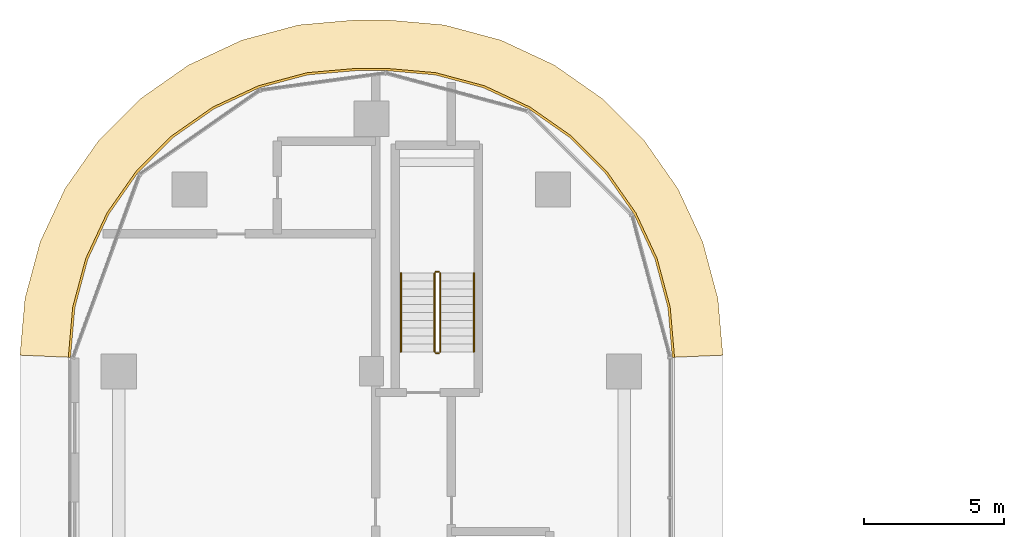
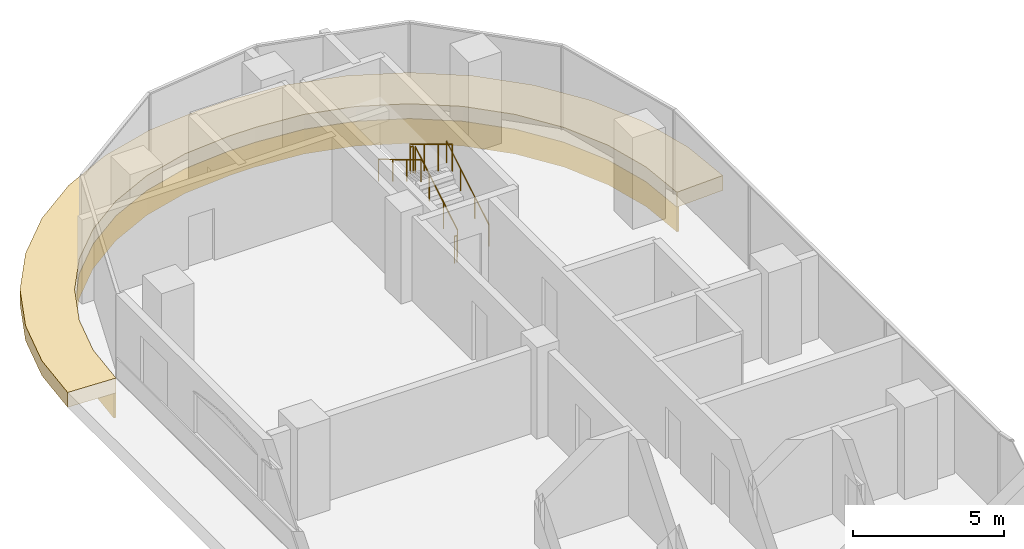
# One storey, part 24 of 25: 6 railings, 2 coverings.
"""IFC4 building model written with IfcOpenShell, lengths in metres."""

import ifcopenshell
import ifcopenshell.guid

model = None  # the IFC model being written
_history = None  # IfcOwnerHistory: only IFC2X3 demands one
_inside = {}  # id of a spatial element -> (the spatial element, [elements in it])
_under = {}  # id of a project, library or spatial element -> (it, [spatial elements below it])
_declared = {}  # id of a project -> (the project, [libraries it declares])
_typed = {}  # id of a type object -> (the type object, [elements of that type])
_made_of = {}  # id of a material, layer set ... -> (it, [elements and type objects made of it])


def new_model(schema):
    """Start an empty IFC model of exactly this schema.

    Asked for "IFC4X3", IfcOpenShell would pick the latest addendum, in which some entities
    have other attributes; the version numbers below select the first issue.
    IFC2X3 requires an IfcOwnerHistory on every rooted entity: one is made here for all.
    """
    global model, _history
    if schema == "IFC4X3":
        model = ifcopenshell.file(schema_version=(4, 3, 0, 0))
    else:
        model = ifcopenshell.file(schema=schema)
    _inside.clear()
    _under.clear()
    _declared.clear()
    _typed.clear()
    _made_of.clear()
    _history = None
    if model.schema == "IFC2X3":
        org = make("IfcOrganization", Name="unknown")
        user = make(
            "IfcPersonAndOrganization",
            ThePerson=make("IfcPerson", FamilyName="unknown"),
            TheOrganization=org,
        )
        app = make(
            "IfcApplication",
            ApplicationDeveloper=org,
            Version="unknown",
            ApplicationFullName="unknown",
            ApplicationIdentifier="unknown",
        )
        _history = make(
            "IfcOwnerHistory",
            OwningUser=user,
            OwningApplication=app,
            ChangeAction="ADDED",
            CreationDate=0,
        )
    return model


def make(cls, **values):
    """One entity of the class cls with the attributes given. An attribute that is None is left unset."""
    return model.create_entity(
        cls, **{name: value for name, value in values.items() if value is not None}
    )


def rooted(cls, **values):
    """An entity with a GlobalId (a new one), such as an element, a storey or a relation."""
    return make(cls, GlobalId=ifcopenshell.guid.new(), OwnerHistory=_history, **values)


def si_unit(unit_type, name, prefix=None):
    """IfcSIUnit, for example si_unit("LENGTHUNIT", "METRE", prefix="MILLI")."""
    return make("IfcSIUnit", UnitType=unit_type, Prefix=prefix, Name=name)


def assignment(units):
    """IfcUnitAssignment: the units of a project."""
    return None if units is None else make("IfcUnitAssignment", Units=units)


def point(xyz):
    """IfcCartesianPoint."""
    return None if xyz is None else make("IfcCartesianPoint", Coordinates=xyz)


def direction(xyz):
    """IfcDirection."""
    return None if xyz is None else make("IfcDirection", DirectionRatios=xyz)


def frame(location, z_axis=None, x_axis=None):
    """IfcAxis2Placement3D, a coordinate frame: its origin and axes. An axis left out is left unset."""
    return make(
        "IfcAxis2Placement3D",
        Location=point(location),
        Axis=direction(z_axis),
        RefDirection=direction(x_axis),
    )


def frame_2d(location, x_axis=None):
    """IfcAxis2Placement2D, a coordinate frame in the plane: its origin and x axis."""
    return make(
        "IfcAxis2Placement2D", Location=point(location), RefDirection=direction(x_axis)
    )


def origin():
    """The frame at (0, 0, 0) with its axes left unset."""
    return frame((0.0, 0.0, 0.0))


def origin_2d():
    """The frame at (0, 0) in the plane with its x axis left unset."""
    return frame_2d((0.0, 0.0))


def place(relative_to, where):
    """IfcLocalPlacement: puts the frame where relative to a parent placement (None: the world)."""
    return make(
        "IfcLocalPlacement", PlacementRelTo=relative_to, RelativePlacement=where
    )


def context(
    kind, dimensions, precision=None, world=None, true_north=None, identifier=None
):
    """IfcGeometricRepresentationContext, for example the 3D "Model" context."""
    return make(
        "IfcGeometricRepresentationContext",
        ContextIdentifier=identifier,
        ContextType=kind,
        CoordinateSpaceDimension=dimensions,
        Precision=precision,
        WorldCoordinateSystem=world,
        TrueNorth=true_north,
    )


def subcontext(parent, identifier, kind, view, scale=None):
    """IfcGeometricRepresentationSubContext, for example "Body" below "Model"."""
    return make(
        "IfcGeometricRepresentationSubContext",
        ContextIdentifier=identifier,
        ContextType=kind,
        ParentContext=parent,
        TargetScale=scale,
        TargetView=view,
    )


def project(units=None, contexts=None):
    """IfcProject with its units and contexts."""
    return rooted(
        "IfcProject",
        Name="project",
        RepresentationContexts=contexts,
        UnitsInContext=assignment(units),
    )


def spatial(cls, under=None, at=None, **own):
    """A site, building, storey or space (cls), placed at a placement, below another one or the project."""
    s = rooted(cls, ObjectPlacement=at, **own)
    if under is not None:
        _under.setdefault(under.id(), (under, []))[1].append(s)
    return s


def polyline(points):
    """IfcPolyline through the points."""
    return make("IfcPolyline", Points=[point(p) for p in points])


def profile(cls, at=None, kind="AREA", **sizes):
    """A parametric profile (cls). Its sizes go by their IFC names, for example OverallWidth=200.0."""
    return make(cls, ProfileType=kind, Position=at, **sizes)


def circle(**sizes):
    """IfcCircleProfileDef."""
    return profile("IfcCircleProfileDef", **sizes)


def outline(outer, holes=None, kind="AREA"):
    """IfcArbitraryClosedProfileDef: a profile drawn as a closed curve; with holes, ...WithVoids."""
    if holes is None:
        return make("IfcArbitraryClosedProfileDef", ProfileType=kind, OuterCurve=outer)
    return make(
        "IfcArbitraryProfileDefWithVoids",
        ProfileType=kind,
        OuterCurve=outer,
        InnerCurves=holes,
    )


def extrude(swept, where, along, depth):
    """IfcExtrudedAreaSolid: the profile swept, set in the frame where, extruded along a direction by depth."""
    return make(
        "IfcExtrudedAreaSolid",
        SweptArea=swept,
        Position=where,
        ExtrudedDirection=direction(along),
        Depth=depth,
    )


def shape(context_of_items, identifier, shape_type, items):
    """IfcShapeRepresentation: the items that make up one representation, for example the "Body"."""
    return make(
        "IfcShapeRepresentation",
        ContextOfItems=context_of_items,
        RepresentationIdentifier=identifier,
        RepresentationType=shape_type,
        Items=items,
    )


def material(Name=None, Category=None):
    """IfcMaterial."""
    return make("IfcMaterial", Name=Name, Category=Category)


def layer(
    of_material, thickness, ventilated=None, Name=None, Category=None, Priority=None
):
    """IfcMaterialLayer: one layer of a wall or slab, of a material (None: an air gap)."""
    return make(
        "IfcMaterialLayer",
        Material=of_material,
        LayerThickness=thickness,
        IsVentilated=ventilated,
        Name=Name,
        Category=Category,
        Priority=Priority,
    )


def layer_set(layers, Name=None):
    """IfcMaterialLayerSet."""
    return make("IfcMaterialLayerSet", MaterialLayers=layers, LayerSetName=Name)


def made_of(thing, what):
    """Note that an element or type object is made of a material, layer set ...; save() writes the relation."""
    if what is not None:
        _made_of.setdefault(what.id(), (what, []))[1].append(thing)
    return thing


def type_object(cls, material=None, **own):
    """A type object (cls), such as IfcWallType, which elements share."""
    return made_of(rooted(cls, **own), material)


def element(
    cls,
    number,
    at=None,
    inside=None,
    cuts=None,
    type_object=None,
    material=None,
    context=None,
    identifier="Body",
    shape_type=None,
    held_by="IfcProductDefinitionShape",
    body=None,
    shapes=None,
    **own,
):
    """One element of the class cls, such as IfcWall. Its Tag is "e" and its number.

    at: its placement. inside: the storey or other place that contains it. cuts: it is an
    opening in that element (IfcRelVoidsElement). A single representation is given by context,
    identifier, shape_type and body (its items); several are given by shapes. held_by: the class
    of the entity that holds the representations. save() writes the other relations.
    """
    e = rooted(cls, Tag="e%d" % number, ObjectPlacement=at, **own)
    if body is not None:
        shapes = [shape(context, identifier, shape_type, body)]
    if shapes is not None:
        e.Representation = make(held_by, Representations=shapes)
    if inside is not None:
        _inside.setdefault(inside.id(), (inside, []))[1].append(e)
    if cuts is not None:
        rooted(
            "IfcRelVoidsElement", RelatingBuildingElement=cuts, RelatedOpeningElement=e
        )
    if type_object is not None:
        _typed.setdefault(type_object.id(), (type_object, []))[1].append(e)
    return made_of(e, material)


def aggregate(whole, parts):
    """IfcRelAggregates: a whole, such as a stair, and the parts it consists of."""
    return rooted("IfcRelAggregates", RelatingObject=whole, RelatedObjects=parts)


def save(model, path):
    """Write the relations noted so far, then the file.

    IfcRelAggregates (storeys below a building ...), IfcRelContainedInSpatialStructure (elements
    in a storey), IfcRelDefinesByType, IfcRelAssociatesMaterial and IfcRelDeclares: one each for
    every whole, place, type object, material and project.
    """
    for whole, parts in _under.values():
        aggregate(whole, parts)
    for where, things in _inside.values():
        rooted(
            "IfcRelContainedInSpatialStructure",
            RelatedElements=things,
            RelatingStructure=where,
        )
    for kind, things in _typed.values():
        rooted("IfcRelDefinesByType", RelatedObjects=things, RelatingType=kind)
    for what, things in _made_of.values():
        rooted("IfcRelAssociatesMaterial", RelatedObjects=things, RelatingMaterial=what)
    for by, libraries in _declared.values():
        rooted("IfcRelDeclares", RelatingContext=by, RelatedDefinitions=libraries)
    model.write(path)


model = new_model("IFC4")

# Units and contexts
model_context = context("Model", 3, precision=1e-05, world=origin(), true_north=direction((0.0, 1.0)))
body_context = subcontext(model_context, "Body", "Model", "MODEL_VIEW")
ifc_project = project(units=[si_unit("LENGTHUNIT", "METRE"), si_unit("AREAUNIT", "SQUARE_METRE"), si_unit("VOLUMEUNIT", "CUBIC_METRE"), si_unit("PLANEANGLEUNIT", "RADIAN"), si_unit("MASSUNIT", "GRAM", prefix="KILO")], contexts=[model_context])

# Site, building, storey
site_placement = place(None, origin())
site = spatial("IfcSite", under=ifc_project, at=site_placement, CompositionType="ELEMENT")
building_placement = place(site_placement, origin())
building = spatial("IfcBuilding", under=site, at=building_placement, Name="Ogive Portal Towers", CompositionType="ELEMENT")
storey_placement = place(building_placement, frame((0.0, 0.0, 124.10009765625)))
storey = spatial("IfcBuildingStorey", under=building, at=storey_placement, Name="L30", CompositionType="ELEMENT", Elevation=124.10009765625)

# Railings
ifc_material_1 = material(Name="Stainless steel balustrade", Category="steel")
railing_type_1 = type_object("IfcRailingType", Name="INT-GUARD", PredefinedType="GUARDRAIL", material=ifc_material_1)
railing_1_placement = place(storey_placement, frame((42.949951171875, 67.199951171875, 0.16796875)))
element("IfcRailing", 1, at=railing_1_placement, inside=storey, type_object=railing_type_1, Name="L30 ST-A3 stair guard 1", PredefinedType="GUARDRAIL", context=body_context, shape_type="SweptSolid", body=[
    extrude(circle(Radius=0.02392578125, at=origin_2d()), frame((0.0, 0.0, 1.076171875), z_axis=(0.0, 0.857242210791, 0.514913383045), x_axis=(-1.0, 0.0, 0.0)), (0.0, 0.0, 1.0), 3.266357421875),
    extrude(circle(Radius=0.02099609375, at=origin_2d()), origin(), (0.0, 0.0, 1.0), 1.052001953125),
    extrude(circle(Radius=0.02099609375, at=origin_2d()), frame((0.0, 0.933349609375, 0.560546875)), (0.0, 0.0, 1.0), 1.052001953125),
    extrude(circle(Radius=0.02099609375, at=origin_2d()), frame((0.0, 1.86669921875, 1.121337890625)), (0.0, 0.0, 1.0), 1.052001953125),
    extrude(circle(Radius=0.02099609375, at=origin_2d()), frame((0.0, 2.800048828125, 1.681884765625)), (0.0, 0.0, 1.0), 1.052001953125),
])
railing_2_placement = place(storey_placement, frame((42.89990234375, 70.050048828125, 1.849853515625)))
element("IfcRailing", 2, at=railing_2_placement, inside=storey, type_object=railing_type_1, Name="L30 ST-A3 stair guard 2", PredefinedType="GUARDRAIL", context=body_context, shape_type="SweptSolid", body=[
    extrude(circle(Radius=0.02392578125, at=origin_2d()), frame((0.0, 0.0, 1.076171875), z_axis=(-1.0, 0.0, 0.0), x_axis=(0.0, -1.0, 0.0)), (0.0, 0.0, 1.0), 0.099853515625),
    extrude(circle(Radius=0.02099609375, at=origin_2d()), origin(), (0.0, 0.0, 1.0), 1.052001953125),
    extrude(circle(Radius=0.02099609375, at=origin_2d()), frame((-0.099853515625, 0.0, 0.0)), (0.0, 0.0, 1.0), 1.052001953125),
])
railing_3_placement = place(storey_placement, frame((42.75, 70.0, 2.01806640625)))
element("IfcRailing", 3, at=railing_3_placement, inside=storey, type_object=railing_type_1, Name="L30 ST-A3 stair guard 3", PredefinedType="GUARDRAIL", context=body_context, shape_type="SweptSolid", body=[
    extrude(circle(Radius=0.02392578125, at=origin_2d()), frame((0.0, 0.0, 1.076171875), z_axis=(0.0, -0.857242210791, 0.514913383045), x_axis=(1.0, 0.0, 0.0)), (0.0, 0.0, 1.0), 3.266357421875),
    extrude(circle(Radius=0.02099609375, at=origin_2d()), origin(), (0.0, 0.0, 1.0), 1.052001953125),
    extrude(circle(Radius=0.02099609375, at=origin_2d()), frame((0.0, -0.933349609375, 0.560546875)), (0.0, 0.0, 1.0), 1.052001953125),
    extrude(circle(Radius=0.02099609375, at=origin_2d()), frame((0.0, -1.86669921875, 1.121337890625)), (0.0, 0.0, 1.0), 1.052001953125),
    extrude(circle(Radius=0.02099609375, at=origin_2d()), frame((0.0, -2.800048828125, 1.681884765625)), (0.0, 0.0, 1.0), 1.052001953125),
])
railing_4_placement = place(storey_placement, frame((42.89990234375, 67.14990234375, 0.0)))
element("IfcRailing", 4, at=railing_4_placement, inside=storey, type_object=railing_type_1, Name="L30 ST-A3 stair guard 4", PredefinedType="GUARDRAIL", context=body_context, shape_type="SweptSolid", body=[
    extrude(circle(Radius=0.02392578125, at=origin_2d()), frame((0.0, 0.0, 1.076171875), z_axis=(-1.0, 0.0, 0.0), x_axis=(0.0, -1.0, 0.0)), (0.0, 0.0, 1.0), 0.099853515625),
    extrude(circle(Radius=0.02099609375, at=origin_2d()), origin(), (0.0, 0.0, 1.0), 1.052001953125),
    extrude(circle(Radius=0.02099609375, at=origin_2d()), frame((-0.099853515625, 0.0, 0.0)), (0.0, 0.0, 1.0), 1.052001953125),
])
ifc_material_2 = material(Name="Stainless steel handrail", Category="steel")
railing_type_2 = type_object("IfcRailingType", Name="INT-HANDRAIL", PredefinedType="HANDRAIL", material=ifc_material_2)
railing_5_placement = place(storey_placement, frame((44.14990234375, 67.199951171875, 0.16796875)))
element("IfcRailing", 5, at=railing_5_placement, inside=storey, type_object=railing_type_2, Name="L30 ST-A3 stair handrail 1", PredefinedType="HANDRAIL", context=body_context, shape_type="SweptSolid", body=[
    extrude(circle(Radius=0.02392578125, at=origin_2d()), frame((0.0, 0.0, 0.8759765625), z_axis=(0.0, 0.857242210791, 0.514913383045), x_axis=(-1.0, 0.0, 0.0)), (0.0, 0.0, 1.0), 3.266357421875),
    extrude(circle(Radius=0.02099609375, at=origin_2d()), origin(), (0.0, 0.0, 1.0), 0.851806640625),
    extrude(circle(Radius=0.02099609375, at=origin_2d()), frame((0.0, 0.933349609375, 0.560546875)), (0.0, 0.0, 1.0), 0.851806640625),
    extrude(circle(Radius=0.02099609375, at=origin_2d()), frame((0.0, 1.86669921875, 1.121337890625)), (0.0, 0.0, 1.0), 0.851806640625),
    extrude(circle(Radius=0.02099609375, at=origin_2d()), frame((0.0, 2.800048828125, 1.681884765625)), (0.0, 0.0, 1.0), 0.851806640625),
])
railing_6_placement = place(storey_placement, frame((41.550048828125, 70.0, 2.01806640625)))
element("IfcRailing", 6, at=railing_6_placement, inside=storey, type_object=railing_type_2, Name="L30 ST-A3 stair handrail 2", PredefinedType="HANDRAIL", context=body_context, shape_type="SweptSolid", body=[
    extrude(circle(Radius=0.02392578125, at=origin_2d()), frame((0.0, 0.0, 0.8759765625), z_axis=(0.0, -0.857242210791, 0.514913383045), x_axis=(1.0, 0.0, 0.0)), (0.0, 0.0, 1.0), 3.266357421875),
    extrude(circle(Radius=0.02099609375, at=origin_2d()), origin(), (0.0, 0.0, 1.0), 0.851806640625),
    extrude(circle(Radius=0.02099609375, at=origin_2d()), frame((0.0, -0.933349609375, 0.560546875)), (0.0, 0.0, 1.0), 0.851806640625),
    extrude(circle(Radius=0.02099609375, at=origin_2d()), frame((0.0, -1.86669921875, 1.121337890625)), (0.0, 0.0, 1.0), 0.851806640625),
    extrude(circle(Radius=0.02099609375, at=origin_2d()), frame((0.0, -2.800048828125, 1.681884765625)), (0.0, 0.0, 1.0), 0.851806640625),
])

# Coverings
ifc_material_3 = material(Name="Limestone cladding on lightweight block wall", Category="masonry")
ifc_layer_1 = layer(ifc_material_3, 0.080078125)
ifc_layer_set_1 = layer_set([ifc_layer_1], Name="STONE SPANDREL 80")
covering_type_1 = type_object("IfcCoveringType", Name="STONE SPANDREL 80", PredefinedType="CLADDING", material=ifc_layer_set_1)
covering_1_placement = place(storey_placement, frame((0.0, 0.0, -1.60009765625)))
element("IfcCovering", 7, at=covering_1_placement, inside=storey, type_object=covering_type_1, Name="Stone spandrel A1-F12", PredefinedType="CLADDING", context=body_context, shape_type="SweptSolid", body=[
    extrude(outline(polyline([(51.215087890625, 67.0), (51.059814453125, 68.77392578125), (50.598876953125, 70.49365234375), (49.846435546875, 72.107421875), (48.8251953125, 73.566162109375), (47.566162109375, 74.8251953125), (46.107421875, 75.846435546875), (44.49365234375, 76.598876953125), (42.77392578125, 77.059814453125), (41.0, 77.215087890625), (40.0, 77.215087890625), (38.22607421875, 77.059814453125), (36.50634765625, 76.598876953125), (34.892578125, 75.846435546875), (33.433837890625, 74.8251953125), (32.1748046875, 73.566162109375), (31.153564453125, 72.107421875), (30.401123046875, 70.49365234375), (29.940185546875, 68.77392578125), (29.784912109375, 67.0), (29.705078125, 67.00341796875), (29.861083984375, 68.787841796875), (30.32568359375, 70.521240234375), (31.083984375, 72.147705078125), (32.11328125, 73.61767578125), (33.38232421875, 74.88671875), (34.852294921875, 75.916015625), (36.478759765625, 76.67431640625), (38.212158203125, 77.138916015625), (39.99658203125, 77.294921875), (41.00341796875, 77.294921875), (42.787841796875, 77.138916015625), (44.521240234375, 76.67431640625), (46.147705078125, 75.916015625), (47.61767578125, 74.88671875), (48.88671875, 73.61767578125), (49.916015625, 72.147705078125), (50.67431640625, 70.521240234375), (51.138916015625, 68.787841796875), (51.294921875, 67.00341796875), (51.215087890625, 67.0)])), origin(), (0.0, 0.0, 1.0), 1.0),
])
ifc_layer_2 = layer(ifc_material_3, 0.60009765625)
ifc_layer_set_2 = layer_set([ifc_layer_2], Name="SUNSHADE LIP 600")
covering_type_2 = type_object("IfcCoveringType", Name="SUNSHADE LIP 600", PredefinedType="CLADDING", material=ifc_layer_set_2)
covering_2_placement = place(storey_placement, frame((0.0, 0.0, -0.60009765625)))
element("IfcCovering", 8, at=covering_2_placement, inside=storey, type_object=covering_type_2, Name="Sunshade lip A1-F12", PredefinedType="CLADDING", context=body_context, shape_type="SweptSolid", body=[
    extrude(outline(polyline([(51.215087890625, 67.0), (51.059814453125, 68.77392578125), (50.598876953125, 70.49365234375), (49.846435546875, 72.107421875), (48.8251953125, 73.566162109375), (47.566162109375, 74.8251953125), (46.107421875, 75.846435546875), (44.49365234375, 76.598876953125), (42.77392578125, 77.059814453125), (41.0, 77.215087890625), (40.0, 77.215087890625), (38.22607421875, 77.059814453125), (36.50634765625, 76.598876953125), (34.892578125, 75.846435546875), (33.433837890625, 74.8251953125), (32.1748046875, 73.566162109375), (31.153564453125, 72.107421875), (30.401123046875, 70.49365234375), (29.940185546875, 68.77392578125), (29.784912109375, 67.0), (27.985107421875, 67.07861328125), (28.16064453125, 69.087646484375), (28.703125, 71.11181640625), (29.5888671875, 73.010986328125), (30.790771484375, 74.7275390625), (32.2724609375, 76.209228515625), (33.989013671875, 77.4111328125), (35.88818359375, 78.296875), (37.912353515625, 78.83935546875), (39.92138671875, 79.014892578125), (41.07861328125, 79.014892578125), (43.087646484375, 78.83935546875), (45.11181640625, 78.296875), (47.010986328125, 77.4111328125), (48.7275390625, 76.209228515625), (50.209228515625, 74.7275390625), (51.4111328125, 73.010986328125), (52.296875, 71.11181640625), (52.83935546875, 69.087646484375), (53.014892578125, 67.07861328125), (51.215087890625, 67.0)])), origin(), (0.0, 0.0, 1.0), 0.60009765625),
])

save(model, "model.ifc")
